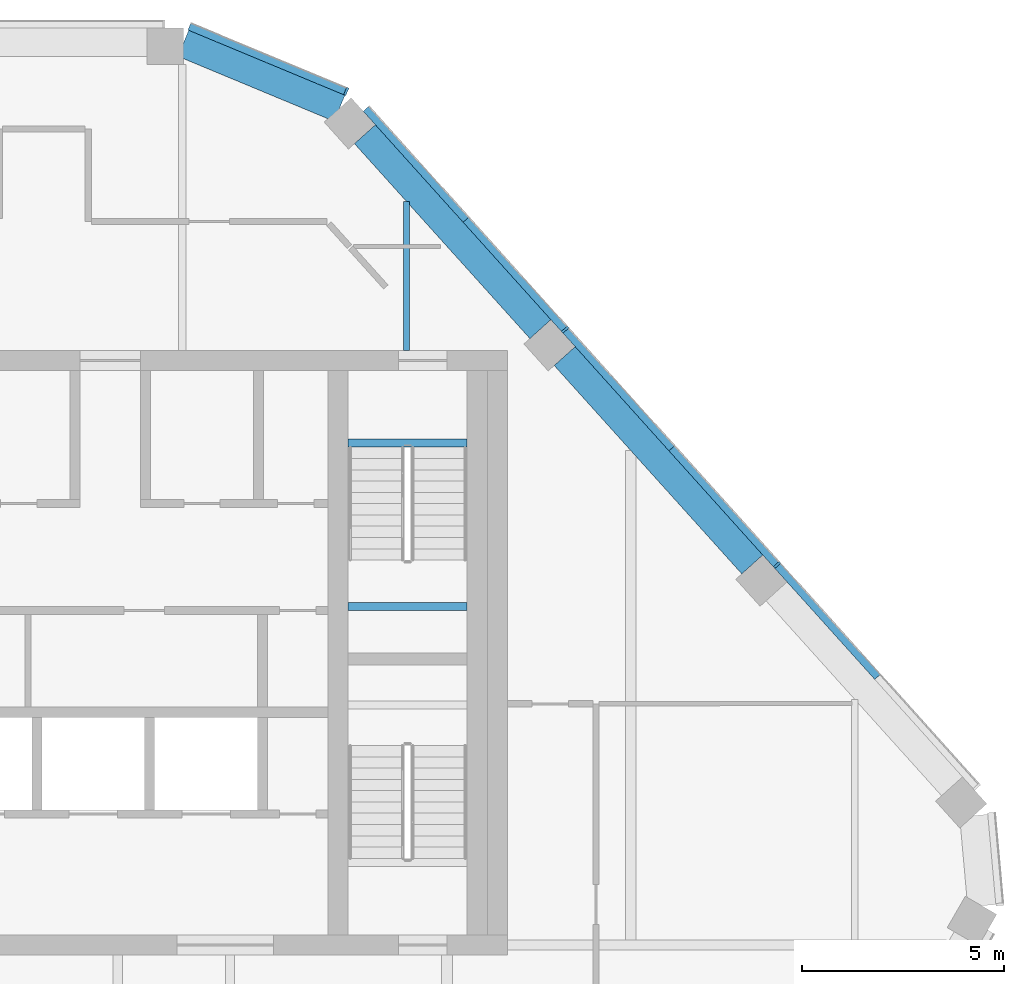
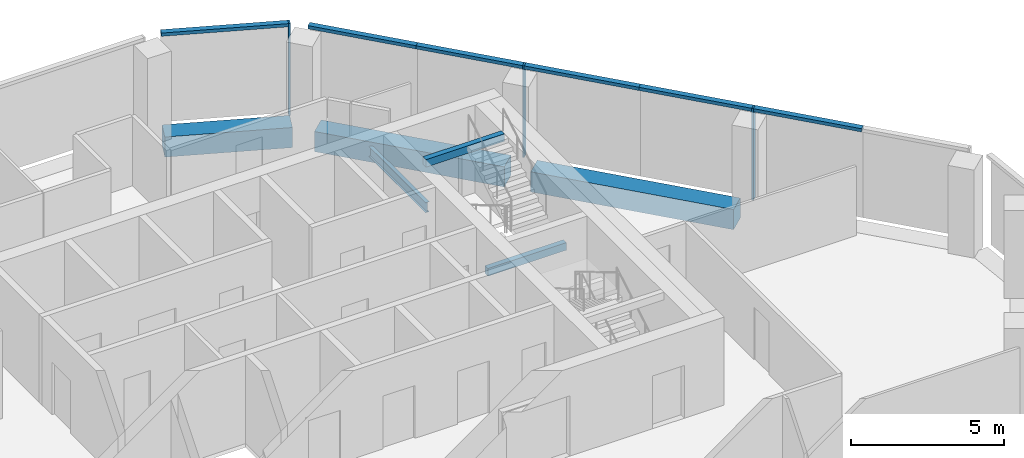
# One storey, part 6 of 15: 9 members, 6 beams, 2 elements without a shape of their own.
"""IFC4 building model written with IfcOpenShell, lengths in metres."""

from ifc_helpers import new_model, si_unit, direction, frame, origin, origin_2d, place, context, subcontext, project, spatial, rectangle, i_section, extrude, material, layer, layer_set, material_profile, profile_set, type_object, element, aggregate, save


model = new_model("IFC4")

# Units and contexts
model_context = context("Model", 3, precision=1e-05, world=origin(), true_north=direction((0.0, 1.0)))
body_context = subcontext(model_context, "Body", "Model", "MODEL_VIEW")
ifc_project = project(units=[si_unit("LENGTHUNIT", "METRE"), si_unit("AREAUNIT", "SQUARE_METRE"), si_unit("VOLUMEUNIT", "CUBIC_METRE"), si_unit("PLANEANGLEUNIT", "RADIAN"), si_unit("MASSUNIT", "GRAM", prefix="KILO")], contexts=[model_context])

# Site, building, storey
site_placement = place(None, origin())
site = spatial("IfcSite", under=ifc_project, at=site_placement, CompositionType="ELEMENT")
building_placement = place(site_placement, origin())
building = spatial("IfcBuilding", under=site, at=building_placement, Name="Isthmus Gate Tower", CompositionType="ELEMENT")
storey_placement = place(building_placement, frame((0.0, 0.0, 275.550048828125)))
storey = spatial("IfcBuildingStorey", under=building, at=storey_placement, Name="L70", CompositionType="ELEMENT", Elevation=275.550048828125)

# Curtain wall, members
ifc_material_1 = material(Name="Aluminium, pale champagne anodised", Category="aluminium")
ifc_layer = layer(ifc_material_1, 0.199951171875)
ifc_layer_set = layer_set([ifc_layer], Name="CW-1 UNITISED CURTAIN WALL 200 DEEP")
curtain_wall_type = type_object("IfcCurtainWallType", Name="CW-1 UNITISED CURTAIN WALL 200 DEEP", PredefinedType="NOTDEFINED", material=ifc_layer_set)
curtain_wall_1_placement = place(storey_placement, origin())
curtain_wall_1 = element("IfcCurtainWall", 1, at=curtain_wall_1_placement, inside=storey, type_object=curtain_wall_type, Name="CW-1 NE L70", PredefinedType="NOTDEFINED")
ifc_material_2 = material(Name="Aluminium, pale champagne anodised", Category="aluminium")
ifc_material_profile_1 = material_profile(ifc_material_2, rectangle(XDim=0.06005859375, YDim=0.199951171875, at=origin_2d()), Name="60x200")
ifc_profile_set_1 = profile_set([ifc_material_profile_1], Name="Aluminium, pale champagne anodised")
member_type_1 = type_object("IfcMemberType", Name="CW-1 MULLION 60 X 200", PredefinedType="MULLION", material=ifc_profile_set_1)
member_1_placement = place(storey_placement, frame((21.69140625, 9.680419921875, 0.0), z_axis=(0.0, 0.0, 1.0), x_axis=(-0.669130606359, 0.743144825477, 0.0)))
member_1 = element("IfcMember", 2, at=member_1_placement, type_object=member_type_1, Name="CW-1 mullion", PredefinedType="MULLION", context=body_context, shape_type="SweptSolid", body=[
    extrude(rectangle(XDim=0.06005859375, YDim=0.199951171875, at=origin_2d()), origin(), (0.0, 0.0, 1.0), 3.64990234375),
])
member_2_placement = place(storey_placement, frame((16.43408203125, 15.519287109375, 0.0), z_axis=(0.0, 0.0, 1.0), x_axis=(-0.669130606359, 0.743144825477, 0.0)))
member_2 = element("IfcMember", 3, at=member_2_placement, type_object=member_type_1, Name="CW-1 mullion", PredefinedType="MULLION", context=body_context, shape_type="SweptSolid", body=[
    extrude(rectangle(XDim=0.06005859375, YDim=0.199951171875, at=origin_2d()), origin(), (0.0, 0.0, 1.0), 3.64990234375),
])

# Curtain wall, member
curtain_wall_2_placement = place(storey_placement, origin())
curtain_wall_2 = element("IfcCurtainWall", 4, at=curtain_wall_2_placement, inside=storey, type_object=curtain_wall_type, Name="CW-1 NE-N L70", PredefinedType="NOTDEFINED")
member_3_placement = place(storey_placement, frame((11.001708984375, 21.427490234375, 0.0), z_axis=(0.0, 0.0, 1.0), x_axis=(-0.923353128387, 0.383951820282, 0.0)))
member_3 = element("IfcMember", 5, at=member_3_placement, type_object=member_type_1, Name="CW-1 mullion", PredefinedType="MULLION", context=body_context, shape_type="SweptSolid", body=[
    extrude(rectangle(XDim=0.06005859375, YDim=0.199951171875, at=origin_2d()), origin(), (0.0, 0.0, 1.0), 3.64990234375),
])

# Member
ifc_material_3 = material(Name="Aluminium, pale champagne anodised", Category="aluminium")
ifc_material_profile_2 = material_profile(ifc_material_3, rectangle(XDim=0.199951171875, YDim=0.1298828125, at=origin_2d()), Name="200x130")
ifc_profile_set_2 = profile_set([ifc_material_profile_2], Name="Aluminium, pale champagne anodised")
member_type_2 = type_object("IfcMemberType", Name="CW-1 TRANSOM 200 X 130", PredefinedType="USERDEFINED", material=ifc_profile_set_2)
member_4_placement = place(storey_placement, frame((24.189453125, 6.906005859375, 3.5849609375), z_axis=(-0.669121330099, 0.743153177754, 0.0), x_axis=(-0.743153177754, -0.669121330099, 0.0)))
member_4 = element("IfcMember", 6, at=member_4_placement, type_object=member_type_2, Name="CW-1 transom", ObjectType="TRANSOM", PredefinedType="USERDEFINED", context=body_context, shape_type="SweptSolid", body=[
    extrude(rectangle(XDim=0.199951171875, YDim=0.1298828125, at=origin_2d()), origin(), (0.0, 0.0, 1.0), 3.703369140625),
])

member_5_placement = place(storey_placement, frame((21.67138671875, 9.702880859375, 3.5849609375), z_axis=(-0.669156480406, 0.743121527565, 0.0), x_axis=(-0.743121527565, -0.669156480406, 0.0)))
member_5 = element("IfcMember", 7, at=member_5_placement, type_object=member_type_2, Name="CW-1 transom", ObjectType="TRANSOM", PredefinedType="USERDEFINED", context=body_context, shape_type="SweptSolid", body=[
    extrude(rectangle(XDim=0.199951171875, YDim=0.1298828125, at=origin_2d()), origin(), (0.0, 0.0, 1.0), 3.868408203125),
])

member_6_placement = place(storey_placement, frame((19.082763671875, 12.57763671875, 3.5849609375), z_axis=(-0.669095199697, 0.743176704252, 0.0), x_axis=(-0.743176704252, -0.669095199697, 0.0)))
member_6 = element("IfcMember", 8, at=member_6_placement, type_object=member_type_2, Name="CW-1 transom", ObjectType="TRANSOM", PredefinedType="USERDEFINED", context=body_context, shape_type="SweptSolid", body=[
    extrude(rectangle(XDim=0.199951171875, YDim=0.1298828125, at=origin_2d()), origin(), (0.0, 0.0, 1.0), 3.92822265625),
])

member_7_placement = place(storey_placement, frame((16.4140625, 15.54150390625, 3.5849609375), z_axis=(-0.669116497993, 0.743157528464, 0.0), x_axis=(-0.743157528464, -0.669116497993, 0.0)))
member_7 = element("IfcMember", 9, at=member_7_placement, type_object=member_type_2, Name="CW-1 transom", ObjectType="TRANSOM", PredefinedType="USERDEFINED", context=body_context, shape_type="SweptSolid", body=[
    extrude(rectangle(XDim=0.199951171875, YDim=0.1298828125, at=origin_2d()), origin(), (0.0, 0.0, 1.0), 3.6435546875),
])

member_8_placement = place(storey_placement, frame((13.97607421875, 18.249267578125, 3.5849609375), z_axis=(-0.669154112043, 0.743123660192, 0.0), x_axis=(-0.743123660192, -0.669154112043, 0.0)))
member_8 = element("IfcMember", 10, at=member_8_placement, type_object=member_type_2, Name="CW-1 transom", ObjectType="TRANSOM", PredefinedType="USERDEFINED", context=body_context, shape_type="SweptSolid", body=[
    extrude(rectangle(XDim=0.199951171875, YDim=0.1298828125, at=origin_2d()), origin(), (0.0, 0.0, 1.0), 3.703125),
])

aggregate(curtain_wall_1, [member_4, member_1, member_5, member_6, member_2, member_7, member_8])

member_9_placement = place(storey_placement, frame((10.97412109375, 21.43896484375, 3.5849609375), z_axis=(-0.923358236369, 0.383939536033, 0.0), x_axis=(-0.383939536033, -0.923358236369, 0.0)))
member_9 = element("IfcMember", 11, at=member_9_placement, type_object=member_type_2, Name="CW-1 transom", ObjectType="TRANSOM", PredefinedType="USERDEFINED", context=body_context, shape_type="SweptSolid", body=[
    extrude(rectangle(XDim=0.199951171875, YDim=0.1298828125, at=origin_2d()), origin(), (0.0, 0.0, 1.0), 4.181640625),
])

aggregate(curtain_wall_2, [member_3, member_9])

# Beams
ifc_material_4 = material(Name="Concrete f'c 50 MPa", Category="concrete")
ifc_material_profile_3 = material_profile(ifc_material_4, rectangle(XDim=0.699951171875, YDim=0.800048828125, at=origin_2d()), Name="RC 700X800")
ifc_profile_set_3 = profile_set([ifc_material_profile_3], Name="Concrete f'c 50 MPa")
beam_type_1 = type_object("IfcBeamType", Name="RC SPANDREL 700 X 800", PredefinedType="SPANDREL", material=ifc_profile_set_3)
beam_1_placement = place(storey_placement, frame((6.95947265625, 22.620849609375, -0.400146484375), z_axis=(0.923360646135, -0.383933740597, 0.0), x_axis=(0.383933740597, 0.923360646135, 0.0)))
element("IfcBeam", 12, at=beam_1_placement, inside=storey, type_object=beam_type_1, Name="str-spandrel-L70-00", PredefinedType="SPANDREL", context=body_context, shape_type="SweptSolid", body=[
    extrude(rectangle(XDim=0.699951171875, YDim=0.800048828125, at=origin_2d()), origin(), (0.0, 0.0, 1.0), 4.19677734375),
])
beam_2_placement = place(storey_placement, frame((11.46484375, 20.36572265625, -0.400146484375), z_axis=(0.669122265754, -0.743152335307, 0.0), x_axis=(0.743152335307, 0.669122265754, 0.0)))
element("IfcBeam", 13, at=beam_2_placement, inside=storey, type_object=beam_type_1, Name="str-spandrel-L70-01", PredefinedType="SPANDREL", context=body_context, shape_type="SweptSolid", body=[
    extrude(rectangle(XDim=0.699951171875, YDim=0.800048828125, at=origin_2d()), origin(), (0.0, 0.0, 1.0), 6.506591796875),
])
beam_3_placement = place(storey_placement, frame((16.4208984375, 14.861572265625, -0.400146484375), z_axis=(0.669131458307, -0.743144058379, 0.0), x_axis=(0.743144058379, 0.669131458307, 0.0)))
element("IfcBeam", 14, at=beam_3_placement, inside=storey, type_object=beam_type_1, Name="str-spandrel-L70-02", PredefinedType="SPANDREL", context=body_context, shape_type="SweptSolid", body=[
    extrude(rectangle(XDim=0.699951171875, YDim=0.800048828125, at=origin_2d()), origin(), (0.0, 0.0, 1.0), 6.956787109375),
])
ifc_material_5 = material(Name="Concrete f'c 40 MPa", Category="concrete")
ifc_material_profile_4 = material_profile(ifc_material_5, rectangle(XDim=0.199951171875, YDim=0.300048828125, at=origin_2d()), Name="STAIR LANDING BEAM RC 200 X 300")
ifc_profile_set_4 = profile_set([ifc_material_profile_4], Name="Concrete f'c 40 MPa")
beam_type_2 = type_object("IfcBeamType", Name="STAIR LANDING BEAM RC 200 X 300", PredefinedType="BEAM", material=ifc_profile_set_4)
for number, where, z_axis, x_axis, name in (
    (15, (11.050048828125, 8.64990234375, 1.474853515625), (1.0, 0.0, 0.0), (0.0, 1.0, 0.0), "L70 ST2 landing beam 1"),
    (16, (11.050048828125, 12.7001953125, 3.349853515625), (1.0, 0.0, 0.0), (0.0, 1.0, 0.0), "L70 ST2 floor-edge seat beam"),
):
    element("IfcBeam", number, at=place(storey_placement, frame(where, z_axis=z_axis, x_axis=x_axis)), inside=storey, type_object=beam_type_2, Name=name, PredefinedType="BEAM", context=body_context, shape_type="SweptSolid", body=[
        extrude(rectangle(XDim=0.199951171875, YDim=0.300048828125, at=origin_2d()), origin(), (0.0, 0.0, 1.0), 2.949951171875),
    ])
ifc_material_6 = material(Name="Structural steel ASTM A992 Gr 50", Category="steel")
ifc_material_profile_5 = material_profile(ifc_material_6, i_section(OverallWidth=0.1396484375, OverallDepth=0.4033203125, WebThickness=0.00634765625, FlangeThickness=0.010986328125, at=origin_2d()), Name="W16X31")
ifc_profile_set_5 = profile_set([ifc_material_profile_5], Name="Structural steel ASTM A992 Gr 50")
beam_type_3 = type_object("IfcBeamType", Name="STEEL FLOOR BEAM W16X31", PredefinedType="JOIST", material=ifc_profile_set_5)
beam_4_placement = place(storey_placement, frame((12.49560546875, 15.0, -0.3515625), z_axis=(0.0, 1.0, 0.0), x_axis=(-1.0, 0.0, 0.0)))
element("IfcBeam", 17, at=beam_4_placement, inside=storey, type_object=beam_type_3, Name="str-beam-L70-07-05", PredefinedType="JOIST", context=body_context, shape_type="SweptSolid", body=[
    extrude(i_section(OverallWidth=0.1396484375, OverallDepth=0.4033203125, WebThickness=0.00634765625, FlangeThickness=0.010986328125, at=origin_2d()), origin(), (0.0, 0.0, 1.0), 3.69775390625),
])

save(model, "model.ifc")
